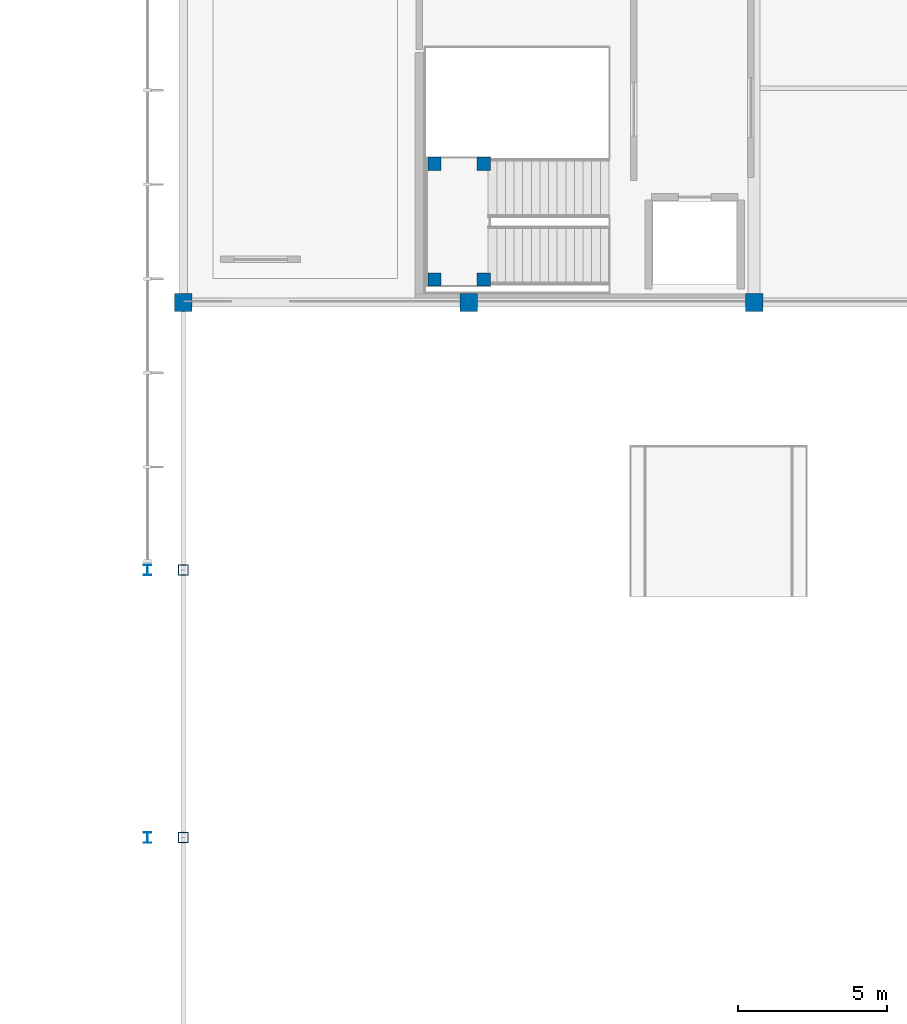
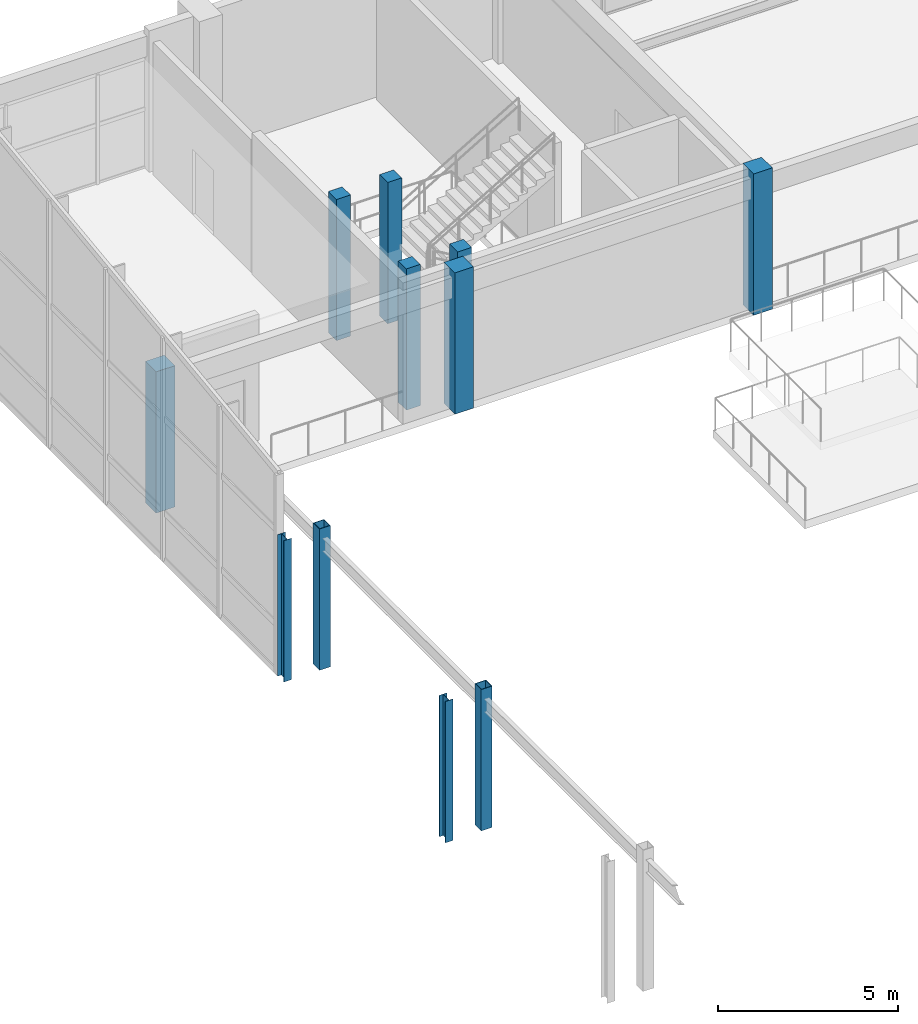
# One storey, part 10 of 74: 11 columns.
"""IFC4 building model written with IfcOpenShell, lengths in metres."""

from ifc_helpers import new_model, si_unit, direction, frame, origin, origin_2d, place, context, subcontext, project, spatial, rectangle, hollow_rectangle, i_section, extrude, material, material_profile, profile_set, type_object, element, save


model = new_model("IFC4")

# Units and contexts
model_context = context("Model", 3, precision=1e-05, world=origin(), true_north=direction((0.0, 1.0)))
body_context = subcontext(model_context, "Body", "Model", "MODEL_VIEW")
ifc_project = project(units=[si_unit("LENGTHUNIT", "METRE"), si_unit("AREAUNIT", "SQUARE_METRE"), si_unit("VOLUMEUNIT", "CUBIC_METRE"), si_unit("PLANEANGLEUNIT", "RADIAN"), si_unit("MASSUNIT", "GRAM", prefix="KILO")], contexts=[model_context])

# Site, building, storey
site_placement = place(None, origin())
site = spatial("IfcSite", under=ifc_project, at=site_placement, CompositionType="ELEMENT")
building_placement = place(site_placement, origin())
building = spatial("IfcBuilding", under=site, at=building_placement, Name="Suirenkawa Promenade Aquatics Centre", CompositionType="ELEMENT")
storey_placement = place(building_placement, frame((0.0, 0.0, 4.800048828125)))
storey = spatial("IfcBuildingStorey", under=building, at=storey_placement, Name="L01", CompositionType="ELEMENT", Elevation=4.800048828125)

# Columns
ifc_material_1 = material(Name="Concrete M40", Category="concrete")
ifc_material_profile_1 = material_profile(ifc_material_1, rectangle(XDim=0.449951171875, YDim=0.449951171875, at=origin_2d()), Name="RC COL 450x450", Category="concrete")
ifc_profile_set_1 = profile_set([ifc_material_profile_1], Name="Concrete M40")
column_type_1 = type_object("IfcColumnType", Name="CT-RC-450", PredefinedType="COLUMN", material=ifc_profile_set_1)
for number, where, z_axis, x_axis, name in (
    (1, (164.449951171875, 87.169921875, 0.0), (0.0, 0.0, 1.0), (1.0, 0.0, 0.0), "Core stair landing column CL-01 COL-CR-C5-L01-1"),
    (2, (166.10009765625, 87.169921875, 0.0), (0.0, 0.0, 1.0), (1.0, 0.0, 0.0), "Core stair landing column CL-01 COL-CR-C5-L01-2"),
    (3, (164.449951171875, 91.06005859375, 0.0), (0.0, 0.0, 1.0), (1.0, 0.0, 0.0), "Core stair landing column CL-01 COL-CR-C5-L01-3"),
    (4, (166.10009765625, 91.06005859375, 0.0), (0.0, 0.0, 1.0), (1.0, 0.0, 0.0), "Core stair landing column CL-01 COL-CR-C5-L01-4"),
):
    element("IfcColumn", number, at=place(storey_placement, frame(where, z_axis=z_axis, x_axis=x_axis)), inside=storey, type_object=column_type_1, Name=name, PredefinedType="COLUMN", context=body_context, shape_type="SweptSolid", body=[
        extrude(rectangle(XDim=0.449951171875, YDim=0.449951171875, at=origin_2d()), origin(), (0.0, 0.0, 1.0), 4.800048828125),
    ])
ifc_material_profile_2 = material_profile(ifc_material_1, rectangle(XDim=0.60009765625, YDim=0.60009765625, at=origin_2d()), Name="RC COL 600x600", Category="concrete")
ifc_profile_set_2 = profile_set([ifc_material_profile_2], Name="Concrete M40")
column_type_2 = type_object("IfcColumnType", Name="CT-RC-600", PredefinedType="COLUMN", material=ifc_profile_set_2)
for number, where, z_axis, x_axis, name in (
    (5, (156.0, 86.39990234375, 0.0), (0.0, 0.0, 1.0), (1.0, 0.0, 0.0), "Column CL-03 COL-0414"),
    (6, (165.60009765625, 86.39990234375, 0.0), (0.0, 0.0, 1.0), (1.0, 0.0, 0.0), "Column CL-03 COL-0419"),
    (7, (175.199951171875, 86.39990234375, 0.0), (0.0, 0.0, 1.0), (1.0, 0.0, 0.0), "Column CL-03 COL-0424"),
):
    element("IfcColumn", number, at=place(storey_placement, frame(where, z_axis=z_axis, x_axis=x_axis)), inside=storey, type_object=column_type_2, Name=name, PredefinedType="COLUMN", context=body_context, shape_type="SweptSolid", body=[
        extrude(rectangle(XDim=0.60009765625, YDim=0.60009765625, at=origin_2d()), origin(), (0.0, 0.0, 1.0), 4.800048828125),
    ])
ifc_material_2 = material(Name="Steel IS 2062 E350 (Grade 350)", Category="steel")
ifc_material_profile_3 = material_profile(ifc_material_2, i_section(OverallWidth=0.25, OverallDepth=0.35009765625, WebThickness=0.010009765625, FlangeThickness=0.011962890625, at=origin_2d()), Name="ISHB 350", Category="steel")
ifc_profile_set_3 = profile_set([ifc_material_profile_3], Name="Steel IS 2062 E350 (Grade 350)")
column_type_3 = type_object("IfcColumnType", Name="CT-STL-ISHB350", PredefinedType="COLUMN", material=ifc_profile_set_3)
for number, where, z_axis, x_axis, name in (
    (8, (154.800048828125, 68.39990234375, 0.0), (0.0, 0.0, 1.0), (1.0, 0.0, 0.0), "Column CL-12 COL-0799"),
    (9, (154.800048828125, 77.39990234375, 0.0), (0.0, 0.0, 1.0), (1.0, 0.0, 0.0), "Column CL-12 COL-0802"),
):
    element("IfcColumn", number, at=place(storey_placement, frame(where, z_axis=z_axis, x_axis=x_axis)), inside=storey, type_object=column_type_3, Name=name, PredefinedType="COLUMN", context=body_context, shape_type="SweptSolid", body=[
        extrude(i_section(OverallWidth=0.25, OverallDepth=0.35009765625, WebThickness=0.010009765625, FlangeThickness=0.011962890625, at=origin_2d()), origin(), (0.0, 0.0, 1.0), 4.800048828125),
    ])
ifc_material_profile_4 = material_profile(ifc_material_2, hollow_rectangle(XDim=0.35009765625, YDim=0.35009765625, WallThickness=0.01611328125, at=origin_2d()), Name="SHS 350x350x16", Category="steel")
ifc_profile_set_4 = profile_set([ifc_material_profile_4], Name="Steel IS 2062 E350 (Grade 350)")
column_type_4 = type_object("IfcColumnType", Name="CT-STL-SHS350", PredefinedType="COLUMN", material=ifc_profile_set_4)
for number, where, z_axis, x_axis, name in (
    (10, (156.0, 68.39990234375, 0.0), (0.0, 0.0, 1.0), (1.0, 0.0, 0.0), "Column CL-15 COL-0622"),
    (11, (156.0, 77.39990234375, 0.0), (0.0, 0.0, 1.0), (1.0, 0.0, 0.0), "Column CL-15 COL-0626"),
):
    element("IfcColumn", number, at=place(storey_placement, frame(where, z_axis=z_axis, x_axis=x_axis)), inside=storey, type_object=column_type_4, Name=name, PredefinedType="COLUMN", context=body_context, shape_type="SweptSolid", body=[
        extrude(hollow_rectangle(XDim=0.35009765625, YDim=0.35009765625, WallThickness=0.01611328125, at=origin_2d()), origin(), (0.0, 0.0, 1.0), 4.800048828125),
    ])

save(model, "model.ifc")
